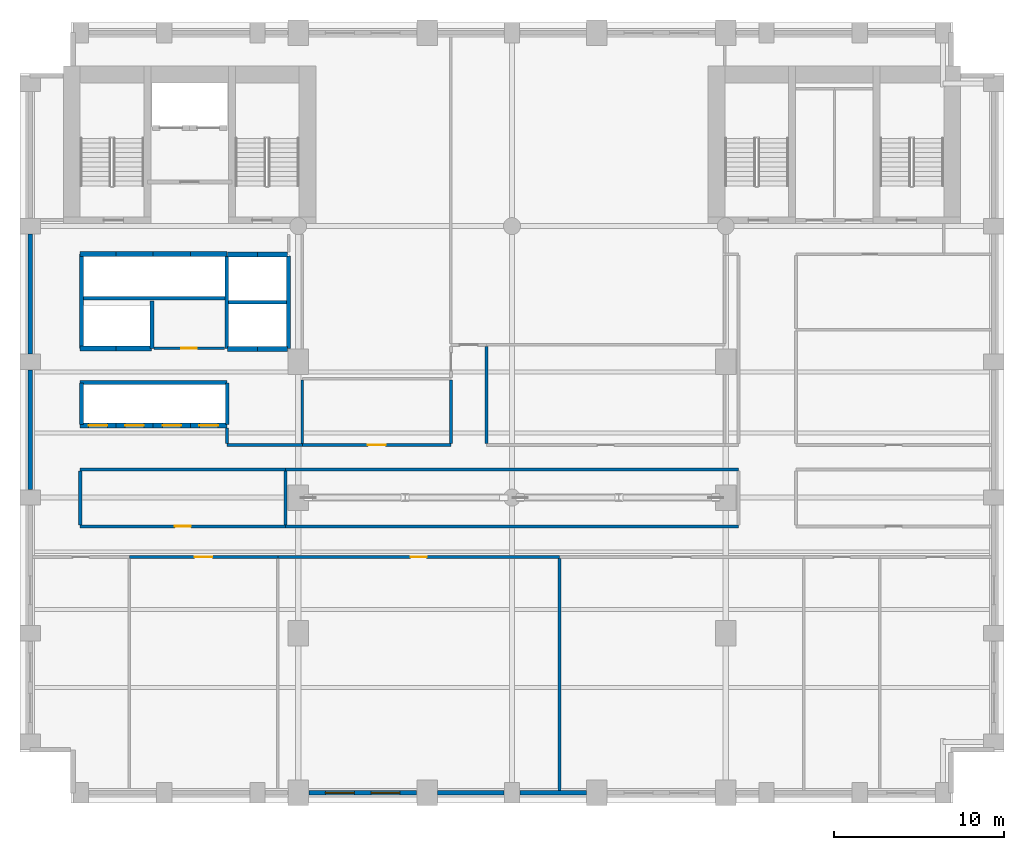
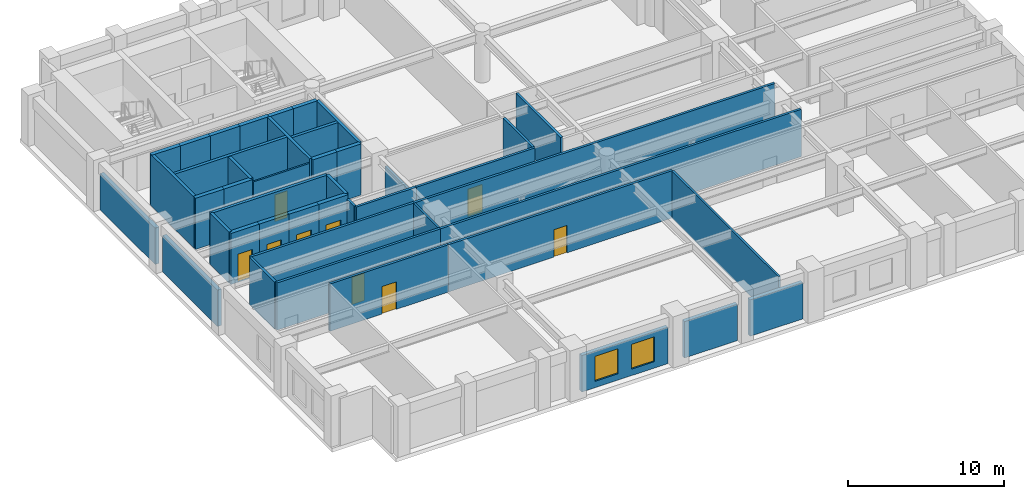
# One storey, part 5 of 10: 44 walls, 9 doors, 2 windows, 11 openings.
"""IFC4 building model written with IfcOpenShell, lengths in metres."""

from ifc_helpers import new_model, si_unit, direction, frame, frame_2d, origin, place, context, subcontext, project, spatial, rectangle, extrude, material, layer, layer_set, type_object, element, fill, save


model = new_model("IFC4")

# Units and contexts
model_context = context("Model", 3, precision=1e-05, world=origin(), true_north=direction((0.0, 1.0)))
body_context = subcontext(model_context, "Body", "Model", "MODEL_VIEW")
ifc_project = project(units=[si_unit("LENGTHUNIT", "METRE"), si_unit("AREAUNIT", "SQUARE_METRE"), si_unit("VOLUMEUNIT", "CUBIC_METRE"), si_unit("PLANEANGLEUNIT", "RADIAN"), si_unit("MASSUNIT", "GRAM", prefix="KILO")], contexts=[model_context])

# Site, building, storey
site_placement = place(None, origin())
site = spatial("IfcSite", under=ifc_project, at=site_placement, CompositionType="ELEMENT")
building_placement = place(site_placement, origin())
building = spatial("IfcBuilding", under=site, at=building_placement, Name="Sulina Concourse Tower", CompositionType="ELEMENT")
storey_placement = place(building_placement, frame((0.0, 0.0, 62.60009765625)))
storey = spatial("IfcBuildingStorey", under=building, at=storey_placement, Name="L15", CompositionType="ELEMENT", Elevation=62.60009765625)

# Walls
ifc_material_1 = material(Name="Concrete C50/60", Category="concrete")
ifc_layer_1 = layer(ifc_material_1, 0.219970703125)
ifc_layer_set_1 = layer_set([ifc_layer_1], Name="Concrete C50/60")
wall_type_1 = type_object("IfcWallType", Name="Core Lift Hoistway Divider Wall 220mm", PredefinedType="SOLIDWALL", material=ifc_layer_set_1)
wall_1_placement = place(storey_placement, frame((3.550048828125, 29.75, 0.0), z_axis=(0.0, 0.0, 1.0), x_axis=(1.0, 0.0, 0.0)))
element("IfcWall", 1, at=wall_1_placement, inside=storey, type_object=wall_type_1, Name="L15 shaft divider wall HW-LP3-S", PredefinedType="SOLIDWALL", context=body_context, shape_type="SweptSolid", body=[
    extrude(rectangle(XDim=8.64990234375, YDim=0.219970703125, at=frame_2d((4.324951171875, 0.0))), origin(), (0.0, 0.0, 1.0), 4.0),
])
wall_2_placement = place(storey_placement, frame((3.6298828125, 26.800048828125, 0.0), z_axis=(0.0, 0.0, 1.0), x_axis=(0.0, 1.0, 0.0)))
element("IfcWall", 2, at=wall_2_placement, inside=storey, type_object=wall_type_1, Name="L15 shaft divider wall HW-LP3-W", PredefinedType="SOLIDWALL", context=body_context, shape_type="SweptSolid", body=[
    extrude(rectangle(XDim=5.550048828125, YDim=0.219970703125, at=frame_2d((2.77490234375, 0.0))), origin(), (0.0, 0.0, 1.0), 4.0),
])
wall_3_placement = place(storey_placement, frame((7.780029296875, 26.800048828125, 0.0), z_axis=(0.0, 0.0, 1.0), x_axis=(0.0, 1.0, 0.0)))
element("IfcWall", 3, at=wall_3_placement, inside=storey, type_object=wall_type_1, Name="L15 shaft divider wall HW-EXP-E", PredefinedType="SOLIDWALL", context=body_context, shape_type="SweptSolid", body=[
    extrude(rectangle(XDim=2.800048828125, YDim=0.219970703125, at=frame_2d((1.39990234375, 0.0))), origin(), (0.0, 0.0, 1.0), 4.0),
])
for number, where, z_axis, x_axis, name in (
    (4, (12.179931640625, 26.800048828125, 0.0), (0.0, 0.0, 1.0), (0.0, 1.0, 0.0), "L15 shaft divider wall HW-LP2-W"),
    (5, (15.820068359375, 26.800048828125, 0.0), (0.0, 0.0, 1.0), (0.0, 1.0, 0.0), "L15 shaft divider wall HW-LP2-E"),
):
    element("IfcWall", number, at=place(storey_placement, frame(where, z_axis=z_axis, x_axis=x_axis)), inside=storey, type_object=wall_type_1, Name=name, PredefinedType="SOLIDWALL", context=body_context, shape_type="SweptSolid", body=[
        extrude(rectangle(XDim=5.449951171875, YDim=0.219970703125, at=frame_2d((2.72509765625, 0.0))), origin(), (0.0, 0.0, 1.0), 4.0),
    ])
wall_4_placement = place(storey_placement, frame((12.300048828125, 29.52001953125, 0.0), z_axis=(0.0, 0.0, 1.0), x_axis=(1.0, 0.0, 0.0)))
element("IfcWall", 6, at=wall_4_placement, inside=storey, type_object=wall_type_1, Name="L15 shaft divider wall HW-LP2-M", PredefinedType="SOLIDWALL", context=body_context, shape_type="SweptSolid", body=[
    extrude(rectangle(XDim=3.39990234375, YDim=0.219970703125, at=frame_2d((1.699951171875, 0.0))), origin(), (0.0, 0.0, 1.0), 4.0),
])
wall_5_placement = place(storey_placement, frame((3.550048828125, 24.780029296875, 0.0), z_axis=(0.0, 0.0, 1.0), x_axis=(1.0, 0.0, 0.0)))
element("IfcWall", 7, at=wall_5_placement, inside=storey, type_object=wall_type_1, Name="L15 shaft divider wall HW-LP1-N", PredefinedType="SOLIDWALL", context=body_context, shape_type="SweptSolid", body=[
    extrude(rectangle(XDim=8.64990234375, YDim=0.219970703125, at=frame_2d((4.324951171875, 0.0))), origin(), (0.0, 0.0, 1.0), 4.0),
])
for number, where, z_axis, x_axis, name in (
    (8, (3.6298828125, 22.300048828125, 0.0), (0.0, 0.0, 1.0), (0.0, 1.0, 0.0), "L15 shaft divider wall HW-LP1-W"),
    (9, (12.219970703125, 22.300048828125, 0.0), (0.0, 0.0, 1.0), (0.0, 1.0, 0.0), "L15 shaft divider wall HW-LP1-E"),
):
    element("IfcWall", number, at=place(storey_placement, frame(where, z_axis=z_axis, x_axis=x_axis)), inside=storey, type_object=wall_type_1, Name=name, PredefinedType="SOLIDWALL", context=body_context, shape_type="SweptSolid", body=[
        extrude(rectangle(XDim=2.449951171875, YDim=0.219970703125, at=frame_2d((1.22509765625, 0.0))), origin(), (0.0, 0.0, 1.0), 4.0),
    ])

# Wall, opening, door
ifc_material_2 = material(Name="Concrete C50/60", Category="concrete")
ifc_layer_2 = layer(ifc_material_2, 0.300048828125)
ifc_layer_set_2 = layer_set([ifc_layer_2], Name="Concrete C50/60")
wall_type_2 = type_object("IfcWallType", Name="Core Lift Hoistway Wall 300mm", PredefinedType="SOLIDWALL", material=ifc_layer_set_2)
wall_6_placement = place(storey_placement, frame((5.64990234375, 22.25, 0.0), z_axis=(0.0, 0.0, 1.0), x_axis=(-1.0, 0.0, 0.0)))
wall_6 = element("IfcWall", 10, at=wall_6_placement, inside=storey, type_object=wall_type_2, Name="L15 hoistway enclosure wall LP-01", PredefinedType="SOLIDWALL", context=body_context, shape_type="SweptSolid", body=[
    extrude(rectangle(XDim=2.099853515625, YDim=0.300048828125, at=frame_2d((1.0498046875, 0.0))), origin(), (0.0, 0.0, 1.0), 4.0),
])
opening_1_placement = place(wall_6_placement, frame((0.5, 0.0, 0.0)))
opening_1 = element("IfcOpeningElement", 11, at=opening_1_placement, cuts=wall_6, Name="Opening LD-01", PredefinedType="OPENING", context=body_context, shape_type="SweptSolid", body=[
    extrude(rectangle(XDim=1.10009765625, YDim=2.199951171875, at=frame_2d((0.550048828125, 1.10009765625))), frame((0.0, 0.159912109375, 0.0), z_axis=(0.0, -1.0, 0.0), x_axis=(1.0, 0.0, 0.0)), (0.0, 0.0, 1.0), 0.320068359375),
])
ifc_material_3 = material(Name="Stainless steel lift landing door", Category="steel")
ifc_layer_3 = layer(ifc_material_3, 0.050048828125)
ifc_layer_set_3 = layer_set([ifc_layer_3], Name="Stainless steel lift landing door")
door_type_1 = type_object("IfcDoorType", Name="Passenger Lift Sliding Landing Door 1100x2200", OperationType="SLIDING_TO_LEFT", PredefinedType="DOOR", material=ifc_layer_set_3)
door_1_placement = place(opening_1_placement, origin())
door_1 = element("IfcDoor", 12, at=door_1_placement, inside=storey, type_object=door_type_1, Name="L15 lift landing sliding door LP-01", OperationType="SLIDING_TO_LEFT", OverallHeight=2.199951171875, OverallWidth=1.10009765625, PredefinedType="DOOR", context=body_context, shape_type="SweptSolid", body=[
    extrude(rectangle(XDim=1.10009765625, YDim=2.199951171875, at=frame_2d((0.550048828125, 1.10009765625))), frame((0.0, 0.02490234375, 0.0), z_axis=(0.0, -1.0, 0.0), x_axis=(1.0, 0.0, 0.0)), (0.0, 0.0, 1.0), 0.050048828125),
])
fill(opening_1, door_1)

wall_7_placement = place(storey_placement, frame((7.85009765625, 22.25, 0.0), z_axis=(0.0, 0.0, 1.0), x_axis=(-1.0, 0.0, 0.0)))
wall_7 = element("IfcWall", 13, at=wall_7_placement, inside=storey, type_object=wall_type_2, Name="L15 hoistway enclosure wall LP-02", PredefinedType="SOLIDWALL", context=body_context, shape_type="SweptSolid", body=[
    extrude(rectangle(XDim=2.2001953125, YDim=0.300048828125, at=frame_2d((1.10009765625, 0.0))), origin(), (0.0, 0.0, 1.0), 4.0),
])
opening_2_placement = place(wall_7_placement, frame((0.550048828125, 0.0, 0.0)))
opening_2 = element("IfcOpeningElement", 14, at=opening_2_placement, cuts=wall_7, Name="Opening LD-01", PredefinedType="OPENING", context=body_context, shape_type="SweptSolid", body=[
    extrude(rectangle(XDim=1.10009765625, YDim=2.199951171875, at=frame_2d((0.550048828125, 1.10009765625))), frame((0.0, 0.159912109375, 0.0), z_axis=(0.0, -1.0, 0.0), x_axis=(1.0, 0.0, 0.0)), (0.0, 0.0, 1.0), 0.320068359375),
])
door_2_placement = place(opening_2_placement, origin())
door_2 = element("IfcDoor", 15, at=door_2_placement, inside=storey, type_object=door_type_1, Name="L15 lift landing sliding door LP-02", OperationType="SLIDING_TO_RIGHT", OverallHeight=2.199951171875, OverallWidth=1.10009765625, PredefinedType="DOOR", context=body_context, shape_type="SweptSolid", body=[
    extrude(rectangle(XDim=1.10009765625, YDim=2.199951171875, at=frame_2d((0.550048828125, 1.10009765625))), frame((0.0, 0.02490234375, 0.0), z_axis=(0.0, -1.0, 0.0), x_axis=(1.0, 0.0, 0.0)), (0.0, 0.0, 1.0), 0.050048828125),
])
fill(opening_2, door_2)

wall_8_placement = place(storey_placement, frame((10.050048828125, 22.25, 0.0), z_axis=(0.0, 0.0, 1.0), x_axis=(-1.0, 0.0, 0.0)))
wall_8 = element("IfcWall", 16, at=wall_8_placement, inside=storey, type_object=wall_type_2, Name="L15 hoistway enclosure wall LP-03", PredefinedType="SOLIDWALL", context=body_context, shape_type="SweptSolid", body=[
    extrude(rectangle(XDim=2.199951171875, YDim=0.300048828125, at=frame_2d((1.10009765625, 0.0))), origin(), (0.0, 0.0, 1.0), 4.0),
])
opening_3_placement = place(wall_8_placement, frame((0.550048828125, 0.0, 0.0)))
opening_3 = element("IfcOpeningElement", 17, at=opening_3_placement, cuts=wall_8, Name="Opening LD-01", PredefinedType="OPENING", context=body_context, shape_type="SweptSolid", body=[
    extrude(rectangle(XDim=1.10009765625, YDim=2.199951171875, at=frame_2d((0.550048828125, 1.10009765625))), frame((0.0, 0.159912109375, 0.0), z_axis=(0.0, -1.0, 0.0), x_axis=(1.0, 0.0, 0.0)), (0.0, 0.0, 1.0), 0.320068359375),
])
door_3_placement = place(opening_3_placement, origin())
door_3 = element("IfcDoor", 18, at=door_3_placement, inside=storey, type_object=door_type_1, Name="L15 lift landing sliding door LP-03", OperationType="SLIDING_TO_LEFT", OverallHeight=2.199951171875, OverallWidth=1.10009765625, PredefinedType="DOOR", context=body_context, shape_type="SweptSolid", body=[
    extrude(rectangle(XDim=1.10009765625, YDim=2.199951171875, at=frame_2d((0.550048828125, 1.10009765625))), frame((0.0, 0.02490234375, 0.0), z_axis=(0.0, -1.0, 0.0), x_axis=(1.0, 0.0, 0.0)), (0.0, 0.0, 1.0), 0.050048828125),
])
fill(opening_3, door_3)

wall_9_placement = place(storey_placement, frame((12.199951171875, 22.25, 0.0), z_axis=(0.0, 0.0, 1.0), x_axis=(-1.0, 0.0, 0.0)))
wall_9 = element("IfcWall", 19, at=wall_9_placement, inside=storey, type_object=wall_type_2, Name="L15 hoistway enclosure wall LP-04", PredefinedType="SOLIDWALL", context=body_context, shape_type="SweptSolid", body=[
    extrude(rectangle(XDim=2.14990234375, YDim=0.300048828125, at=frame_2d((1.074951171875, 0.0))), origin(), (0.0, 0.0, 1.0), 4.0),
])
opening_4_placement = place(wall_9_placement, frame((0.52490234375, 0.0, 0.0)))
opening_4 = element("IfcOpeningElement", 20, at=opening_4_placement, cuts=wall_9, Name="Opening LD-01", PredefinedType="OPENING", context=body_context, shape_type="SweptSolid", body=[
    extrude(rectangle(XDim=1.10009765625, YDim=2.199951171875, at=frame_2d((0.550048828125, 1.10009765625))), frame((0.0, 0.159912109375, 0.0), z_axis=(0.0, -1.0, 0.0), x_axis=(1.0, 0.0, 0.0)), (0.0, 0.0, 1.0), 0.320068359375),
])
door_4_placement = place(opening_4_placement, origin())
door_4 = element("IfcDoor", 21, at=door_4_placement, inside=storey, type_object=door_type_1, Name="L15 lift landing sliding door LP-04", OperationType="SLIDING_TO_RIGHT", OverallHeight=2.199951171875, OverallWidth=1.10009765625, PredefinedType="DOOR", context=body_context, shape_type="SweptSolid", body=[
    extrude(rectangle(XDim=1.10009765625, YDim=2.199951171875, at=frame_2d((0.550048828125, 1.10009765625))), frame((0.0, 0.02490234375, 0.0), z_axis=(0.0, -1.0, 0.0), x_axis=(1.0, 0.0, 0.0)), (0.0, 0.0, 1.0), 0.050048828125),
])
fill(opening_4, door_4)

# Walls
for number, where, z_axis, x_axis, name in (
    (22, (14.0, 26.75, 0.0), (0.0, 0.0, 1.0), (-1.0, 0.0, 0.0), "L15 hoistway enclosure wall LP-05"),
    (23, (15.780029296875, 26.75, 0.0), (0.0, 0.0, 1.0), (-1.0, 0.0, 0.0), "L15 hoistway enclosure wall LP-06"),
    (24, (12.219970703125, 32.320068359375, 0.0), (0.0, 0.0, 1.0), (1.0, 0.0, 0.0), "L15 hoistway enclosure wall LP-07"),
    (25, (14.0, 32.320068359375, 0.0), (0.0, 0.0, 1.0), (1.0, 0.0, 0.0), "L15 hoistway enclosure wall LP-08"),
):
    element("IfcWall", number, at=place(storey_placement, frame(where, z_axis=z_axis, x_axis=x_axis)), inside=storey, type_object=wall_type_2, Name=name, PredefinedType="SOLIDWALL", context=body_context, shape_type="SweptSolid", body=[
        extrude(rectangle(XDim=1.780029296875, YDim=0.300048828125, at=frame_2d((0.89013671875, 0.0))), origin(), (0.0, 0.0, 1.0), 4.0),
    ])
wall_10_placement = place(storey_placement, frame((3.550048828125, 32.35009765625, 0.0), z_axis=(0.0, 0.0, 1.0), x_axis=(1.0, 0.0, 0.0)))
element("IfcWall", 26, at=wall_10_placement, inside=storey, type_object=wall_type_2, Name="L15 hoistway enclosure wall LP-09", PredefinedType="SOLIDWALL", context=body_context, shape_type="SweptSolid", body=[
    extrude(rectangle(XDim=2.099853515625, YDim=0.300048828125, at=frame_2d((1.0498046875, 0.0))), origin(), (0.0, 0.0, 1.0), 4.0),
])
wall_11_placement = place(storey_placement, frame((5.64990234375, 32.35009765625, 0.0), z_axis=(0.0, 0.0, 1.0), x_axis=(1.0, 0.0, 0.0)))
element("IfcWall", 27, at=wall_11_placement, inside=storey, type_object=wall_type_2, Name="L15 hoistway enclosure wall LP-10", PredefinedType="SOLIDWALL", context=body_context, shape_type="SweptSolid", body=[
    extrude(rectangle(XDim=2.2001953125, YDim=0.300048828125, at=frame_2d((1.10009765625, 0.0))), origin(), (0.0, 0.0, 1.0), 4.0),
])
wall_12_placement = place(storey_placement, frame((7.85009765625, 32.35009765625, 0.0), z_axis=(0.0, 0.0, 1.0), x_axis=(1.0, 0.0, 0.0)))
element("IfcWall", 28, at=wall_12_placement, inside=storey, type_object=wall_type_2, Name="L15 hoistway enclosure wall LP-11", PredefinedType="SOLIDWALL", context=body_context, shape_type="SweptSolid", body=[
    extrude(rectangle(XDim=2.199951171875, YDim=0.300048828125, at=frame_2d((1.10009765625, 0.0))), origin(), (0.0, 0.0, 1.0), 4.0),
])
wall_13_placement = place(storey_placement, frame((10.050048828125, 32.35009765625, 0.0), z_axis=(0.0, 0.0, 1.0), x_axis=(1.0, 0.0, 0.0)))
element("IfcWall", 29, at=wall_13_placement, inside=storey, type_object=wall_type_2, Name="L15 hoistway enclosure wall LP-12", PredefinedType="SOLIDWALL", context=body_context, shape_type="SweptSolid", body=[
    extrude(rectangle(XDim=2.14990234375, YDim=0.300048828125, at=frame_2d((1.074951171875, 0.0))), origin(), (0.0, 0.0, 1.0), 4.0),
])
wall_14_placement = place(storey_placement, frame((5.64990234375, 26.780029296875, 0.0), z_axis=(0.0, 0.0, 1.0), x_axis=(-1.0, 0.0, 0.0)))
element("IfcWall", 30, at=wall_14_placement, inside=storey, type_object=wall_type_2, Name="L15 hoistway enclosure wall EXP-1", PredefinedType="SOLIDWALL", context=body_context, shape_type="SweptSolid", body=[
    extrude(rectangle(XDim=2.099853515625, YDim=0.300048828125, at=frame_2d((1.0498046875, 0.0))), origin(), (0.0, 0.0, 1.0), 4.0),
])
wall_15_placement = place(storey_placement, frame((7.75, 26.780029296875, 0.0), z_axis=(0.0, 0.0, 1.0), x_axis=(-1.0, 0.0, 0.0)))
element("IfcWall", 31, at=wall_15_placement, inside=storey, type_object=wall_type_2, Name="L15 hoistway enclosure wall EXP-2", PredefinedType="SOLIDWALL", context=body_context, shape_type="SweptSolid", body=[
    extrude(rectangle(XDim=2.10009765625, YDim=0.300048828125, at=frame_2d((1.050048828125, 0.0))), origin(), (0.0, 0.0, 1.0), 4.0),
])
ifc_material_4 = material(Name="Gypsum board on steel stud", Category="steel")
ifc_layer_4 = layer(ifc_material_4, 0.14990234375)
ifc_layer_set_4 = layer_set([ifc_layer_4], Name="Gypsum board on steel stud")
wall_type_3 = type_object("IfcWallType", Name="Inter-Tenancy Acoustic Partition 150mm", PredefinedType="PARTITIONING", material=ifc_layer_set_4)
wall_16_placement = place(storey_placement, frame((12.199951171875, 21.18994140625, 0.0), z_axis=(0.0, 0.0, 1.0), x_axis=(0.0, 1.0, 0.0)))
element("IfcWall", 32, at=wall_16_placement, inside=storey, type_object=wall_type_3, Name="L15 interior partition 031", PredefinedType="PARTITIONING", context=body_context, shape_type="SweptSolid", body=[
    extrude(rectangle(XDim=0.91015625, YDim=0.14990234375, at=frame_2d((0.455078125, 0.0))), origin(), (0.0, 0.0, 1.0), 3.699951171875),
])
wall_17_placement = place(storey_placement, frame((15.64990234375, 16.389892578125, 0.0), z_axis=(0.0, 0.0, 1.0), x_axis=(0.0, 1.0, 0.0)))
element("IfcWall", 33, at=wall_17_placement, inside=storey, type_object=wall_type_3, Name="L15 interior partition 033", PredefinedType="PARTITIONING", context=body_context, shape_type="SweptSolid", body=[
    extrude(rectangle(XDim=3.170166015625, YDim=0.14990234375, at=frame_2d((1.5849609375, 0.0))), origin(), (0.0, 0.0, 1.0), 3.699951171875),
])
wall_18_placement = place(storey_placement, frame((16.64990234375, 21.18994140625, 0.0), z_axis=(0.0, 0.0, 1.0), x_axis=(0.0, 1.0, 0.0)))
element("IfcWall", 34, at=wall_18_placement, inside=storey, type_object=wall_type_3, Name="L15 interior partition 035", PredefinedType="PARTITIONING", context=body_context, shape_type="SweptSolid", body=[
    extrude(rectangle(XDim=3.735107421875, YDim=0.14990234375, at=frame_2d((1.86767578125, 0.0))), origin(), (0.0, 0.0, 1.0), 2.994873046875),
])
wall_19_placement = place(storey_placement, frame((31.800048828125, 0.739990234375, 0.0), z_axis=(0.0, 0.0, 1.0), x_axis=(0.0, 1.0, 0.0)))
element("IfcWall", 35, at=wall_19_placement, inside=storey, type_object=wall_type_3, Name="L15 interior partition 041", PredefinedType="PARTITIONING", context=body_context, shape_type="SweptSolid", body=[
    extrude(rectangle(XDim=13.669921875, YDim=0.14990234375, at=frame_2d((6.8349609375, 0.0))), origin(), (0.0, 0.0, 1.0), 3.699951171875),
])

# Wall, opening, door
ifc_material_5 = material(Name="Gypsum board on steel stud", Category="steel")
ifc_layer_5 = layer(ifc_material_5, 0.179931640625)
ifc_layer_set_5 = layer_set([ifc_layer_5], Name="Gypsum board on steel stud")
wall_type_4 = type_object("IfcWallType", Name="Protected Corridor & Riser Partition 180mm", PredefinedType="PARTITIONING", material=ifc_layer_set_5)
wall_20_placement = place(storey_placement, frame((6.43994140625, 14.5, 0.0), z_axis=(0.0, 0.0, 1.0), x_axis=(1.0, 0.0, 0.0)))
wall_20 = element("IfcWall", 36, at=wall_20_placement, inside=storey, type_object=wall_type_4, Name="L15 interior partition 002", PredefinedType="PARTITIONING", context=body_context, shape_type="SweptSolid", body=[
    extrude(rectangle(XDim=8.760009765625, YDim=0.179931640625, at=frame_2d((4.3798828125, 0.0))), origin(), (0.0, 0.0, 1.0), 3.699951171875),
])
opening_5_placement = place(wall_20_placement, frame((3.85498046875, 0.0, 0.0)))
opening_5 = element("IfcOpeningElement", 37, at=opening_5_placement, cuts=wall_20, Name="Opening DR-37", PredefinedType="OPENING", context=body_context, shape_type="SweptSolid", body=[
    extrude(rectangle(XDim=1.050048828125, YDim=2.14990234375, at=frame_2d((0.52490234375, 1.074951171875))), frame((0.0, 0.099853515625, 0.0), z_axis=(0.0, -1.0, 0.0), x_axis=(1.0, 0.0, 0.0)), (0.0, 0.0, 1.0), 0.199951171875),
])
ifc_material_6 = material(Name="Oak-veneered fire door leaf")
ifc_layer_6 = layer(ifc_material_6, 0.050048828125)
ifc_layer_set_6 = layer_set([ifc_layer_6], Name="Oak-veneered fire door leaf")
door_type_2 = type_object("IfcDoorType", Name="Tenant Suite Entrance Fire Door 1050x2150", OperationType="NOTDEFINED", PredefinedType="DOOR", material=ifc_layer_set_6)
door_5_placement = place(opening_5_placement, origin())
door_5 = element("IfcDoor", 38, at=door_5_placement, inside=storey, type_object=door_type_2, Name="L15 interior door L15-S01B", OperationType="SINGLE_SWING_RIGHT", OverallHeight=2.14990234375, OverallWidth=1.050048828125, PredefinedType="DOOR", context=body_context, shape_type="SweptSolid", body=[
    extrude(rectangle(XDim=1.050048828125, YDim=2.14990234375, at=frame_2d((0.52490234375, 1.074951171875))), frame((0.0, 0.02490234375, 0.0), z_axis=(0.0, -1.0, 0.0), x_axis=(1.0, 0.0, 0.0)), (0.0, 0.0, 1.0), 0.050048828125),
])
fill(opening_5, door_5)

wall_21_placement = place(storey_placement, frame((15.199951171875, 14.5, 0.0), z_axis=(0.0, 0.0, 1.0), x_axis=(1.0, 0.0, 0.0)))
wall_21 = element("IfcWall", 39, at=wall_21_placement, inside=storey, type_object=wall_type_4, Name="L15 interior partition 003", PredefinedType="PARTITIONING", context=body_context, shape_type="SweptSolid", body=[
    extrude(rectangle(XDim=16.60009765625, YDim=0.179931640625, at=frame_2d((8.300048828125, 0.0))), origin(), (0.0, 0.0, 1.0), 3.699951171875),
])
opening_6_placement = place(wall_21_placement, frame((7.824951171875, 0.0, 0.0)))
opening_6 = element("IfcOpeningElement", 40, at=opening_6_placement, cuts=wall_21, Name="Opening DR-19", PredefinedType="OPENING", context=body_context, shape_type="SweptSolid", body=[
    extrude(rectangle(XDim=0.949951171875, YDim=2.14990234375, at=frame_2d((0.47509765625, 1.074951171875))), frame((0.0, 0.099853515625, 0.0), z_axis=(0.0, -1.0, 0.0), x_axis=(1.0, 0.0, 0.0)), (0.0, 0.0, 1.0), 0.199951171875),
])
ifc_material_7 = material(Name="Oak-veneered acoustic timber leaf", Category="wood")
ifc_layer_7 = layer(ifc_material_7, 0.050048828125)
ifc_layer_set_7 = layer_set([ifc_layer_7], Name="Oak-veneered acoustic timber leaf")
door_type_3 = type_object("IfcDoorType", Name="Cellular Office & Meeting Door 950x2150", OperationType="NOTDEFINED", PredefinedType="DOOR", material=ifc_layer_set_7)
door_6_placement = place(opening_6_placement, origin())
door_6 = element("IfcDoor", 41, at=door_6_placement, inside=storey, type_object=door_type_3, Name="L15 interior door L15-S02", OperationType="SINGLE_SWING_LEFT", OverallHeight=2.14990234375, OverallWidth=0.949951171875, PredefinedType="DOOR", context=body_context, shape_type="SweptSolid", body=[
    extrude(rectangle(XDim=0.949951171875, YDim=2.14990234375, at=frame_2d((0.47509765625, 1.074951171875))), frame((0.0, 0.02490234375, 0.0), z_axis=(0.0, -1.0, 0.0), x_axis=(1.0, 0.0, 0.0)), (0.0, 0.0, 1.0), 0.050048828125),
])
fill(opening_6, door_6)

wall_22_placement = place(storey_placement, frame((3.550048828125, 16.300048828125, 0.0), z_axis=(0.0, 0.0, 1.0), x_axis=(1.0, 0.0, 0.0)))
wall_22 = element("IfcWall", 42, at=wall_22_placement, inside=storey, type_object=wall_type_4, Name="L15 interior partition 007", PredefinedType="PARTITIONING", context=body_context, shape_type="SweptSolid", body=[
    extrude(rectangle(XDim=12.099853515625, YDim=0.179931640625, at=frame_2d((6.0498046875, 0.0))), origin(), (0.0, 0.0, 1.0), 3.699951171875),
])
opening_7_placement = place(wall_22_placement, frame((5.574951171875, 0.0, 0.0)))
opening_7 = element("IfcOpeningElement", 43, at=opening_7_placement, cuts=wall_22, Name="Opening DR-19", PredefinedType="OPENING", context=body_context, shape_type="SweptSolid", body=[
    extrude(rectangle(XDim=0.949951171875, YDim=2.14990234375, at=frame_2d((0.47509765625, 1.074951171875))), frame((0.0, 0.099853515625, 0.0), z_axis=(0.0, -1.0, 0.0), x_axis=(1.0, 0.0, 0.0)), (0.0, 0.0, 1.0), 0.199951171875),
])
door_7_placement = place(opening_7_placement, origin())
door_7 = element("IfcDoor", 44, at=door_7_placement, inside=storey, type_object=door_type_3, Name="L15 interior door L15-OFF-LBTW", OperationType="SINGLE_SWING_LEFT", OverallHeight=2.14990234375, OverallWidth=0.949951171875, PredefinedType="DOOR", context=body_context, shape_type="SweptSolid", body=[
    extrude(rectangle(XDim=0.949951171875, YDim=2.14990234375, at=frame_2d((0.47509765625, 1.074951171875))), frame((0.0, 0.02490234375, 0.0), z_axis=(0.0, -1.0, 0.0), x_axis=(1.0, 0.0, 0.0)), (0.0, 0.0, 1.0), 0.050048828125),
])
fill(opening_7, door_7)

# Walls
wall_23_placement = place(storey_placement, frame((15.64990234375, 16.300048828125, 0.0), z_axis=(0.0, 0.0, 1.0), x_axis=(1.0, 0.0, 0.0)))
element("IfcWall", 45, at=wall_23_placement, inside=storey, type_object=wall_type_4, Name="L15 interior partition 008", PredefinedType="PARTITIONING", context=body_context, shape_type="SweptSolid", body=[
    extrude(rectangle(XDim=26.7001953125, YDim=0.179931640625, at=frame_2d((13.35009765625, 0.0))), origin(), (0.0, 0.0, 1.0), 3.699951171875),
])
wall_24_placement = place(storey_placement, frame((3.550048828125, 19.64990234375, 0.0), z_axis=(0.0, 0.0, 1.0), x_axis=(1.0, 0.0, 0.0)))
element("IfcWall", 46, at=wall_24_placement, inside=storey, type_object=wall_type_4, Name="L15 interior partition 010", PredefinedType="PARTITIONING", context=body_context, shape_type="SweptSolid", body=[
    extrude(rectangle(XDim=12.099853515625, YDim=0.179931640625, at=frame_2d((6.0498046875, 0.0))), origin(), (0.0, 0.0, 1.0), 3.699951171875),
])
wall_25_placement = place(storey_placement, frame((15.64990234375, 19.64990234375, 0.0), z_axis=(0.0, 0.0, 1.0), x_axis=(1.0, 0.0, 0.0)))
element("IfcWall", 47, at=wall_25_placement, inside=storey, type_object=wall_type_4, Name="L15 interior partition 011", PredefinedType="PARTITIONING", context=body_context, shape_type="SweptSolid", body=[
    extrude(rectangle(XDim=26.7001953125, YDim=0.179931640625, at=frame_2d((13.35009765625, 0.0))), origin(), (0.0, 0.0, 1.0), 3.699951171875),
])
wall_26_placement = place(storey_placement, frame((12.199951171875, 21.10009765625, 0.0), z_axis=(0.0, 0.0, 1.0), x_axis=(1.0, 0.0, 0.0)))
element("IfcWall", 48, at=wall_26_placement, inside=storey, type_object=wall_type_4, Name="L15 interior partition 013", PredefinedType="PARTITIONING", context=body_context, shape_type="SweptSolid", body=[
    extrude(rectangle(XDim=4.449951171875, YDim=0.179931640625, at=frame_2d((2.22509765625, 0.0))), origin(), (0.0, 0.0, 1.0), 3.699951171875),
])

# Wall, opening, door
wall_27_placement = place(storey_placement, frame((16.64990234375, 21.10009765625, 0.0), z_axis=(0.0, 0.0, 1.0), x_axis=(1.0, 0.0, 0.0)))
wall_27 = element("IfcWall", 49, at=wall_27_placement, inside=storey, type_object=wall_type_4, Name="L15 interior partition 014", PredefinedType="PARTITIONING", context=body_context, shape_type="SweptSolid", body=[
    extrude(rectangle(XDim=8.75, YDim=0.179931640625, at=frame_2d((4.375, 0.0))), origin(), (0.0, 0.0, 1.0), 3.699951171875),
])
opening_8_placement = place(wall_27_placement, frame((3.85009765625, 0.0, 0.0)))
opening_8 = element("IfcOpeningElement", 50, at=opening_8_placement, cuts=wall_27, Name="Opening DR-37", PredefinedType="OPENING", context=body_context, shape_type="SweptSolid", body=[
    extrude(rectangle(XDim=1.050048828125, YDim=2.14990234375, at=frame_2d((0.52490234375, 1.074951171875))), frame((0.0, 0.099853515625, 0.0), z_axis=(0.0, -1.0, 0.0), x_axis=(1.0, 0.0, 0.0)), (0.0, 0.0, 1.0), 0.199951171875),
])
door_8_placement = place(opening_8_placement, origin())
door_8 = element("IfcDoor", 51, at=door_8_placement, inside=storey, type_object=door_type_2, Name="L15 interior door L15-NC1", OperationType="SINGLE_SWING_LEFT", OverallHeight=2.14990234375, OverallWidth=1.050048828125, PredefinedType="DOOR", context=body_context, shape_type="SweptSolid", body=[
    extrude(rectangle(XDim=1.050048828125, YDim=2.14990234375, at=frame_2d((0.52490234375, 1.074951171875))), frame((0.0, 0.02490234375, 0.0), z_axis=(0.0, -1.0, 0.0), x_axis=(1.0, 0.0, 0.0)), (0.0, 0.0, 1.0), 0.050048828125),
])
fill(opening_8, door_8)

# Walls
wall_28_placement = place(storey_placement, frame((3.550048828125, 16.389892578125, 0.0), z_axis=(0.0, 0.0, 1.0), x_axis=(0.0, 1.0, 0.0)))
element("IfcWall", 52, at=wall_28_placement, inside=storey, type_object=wall_type_4, Name="L15 interior partition 029", PredefinedType="PARTITIONING", context=body_context, shape_type="SweptSolid", body=[
    extrude(rectangle(XDim=3.170166015625, YDim=0.179931640625, at=frame_2d((1.5849609375, 0.0))), origin(), (0.0, 0.0, 1.0), 3.699951171875),
])
wall_29_placement = place(storey_placement, frame((25.39990234375, 21.18994140625, 0.0), z_axis=(0.0, 0.0, 1.0), x_axis=(0.0, 1.0, 0.0)))
element("IfcWall", 53, at=wall_29_placement, inside=storey, type_object=wall_type_4, Name="L15 interior partition 037", PredefinedType="PARTITIONING", context=body_context, shape_type="SweptSolid", body=[
    extrude(rectangle(XDim=3.735107421875, YDim=0.179931640625, at=frame_2d((1.86767578125, 0.0))), origin(), (0.0, 0.0, 1.0), 3.699951171875),
])
wall_30_placement = place(storey_placement, frame((27.5, 21.18994140625, 0.0), z_axis=(0.0, 0.0, 1.0), x_axis=(0.0, 1.0, 0.0)))
element("IfcWall", 54, at=wall_30_placement, inside=storey, type_object=wall_type_4, Name="L15 interior partition 040", PredefinedType="PARTITIONING", context=body_context, shape_type="SweptSolid", body=[
    extrude(rectangle(XDim=5.719970703125, YDim=0.179931640625, at=frame_2d((2.85986328125, 0.0))), origin(), (0.0, 0.0, 1.0), 3.699951171875),
])

# Wall, openings, windows
ifc_material_8 = material(Name="Precast concrete C50/60", Category="concrete")
ifc_layer_8 = layer(ifc_material_8, 0.280029296875)
ifc_layer_set_8 = layer_set([ifc_layer_8], Name="Precast concrete C50/60")
wall_type_5 = type_object("IfcWallType", Name="Typical Precast Masonry-Frame Facade Wall 280mm", PredefinedType="SOLIDWALL", material=ifc_layer_set_8)
wall_31_placement = place(storey_placement, frame((23.3798828125, 0.60009765625, 0.0), z_axis=(0.0, 0.0, 1.0), x_axis=(-1.0, 0.0, 0.0)))
wall_31 = element("IfcWall", 55, at=wall_31_placement, inside=storey, type_object=wall_type_5, Name="L15 exterior precast wall S4", PredefinedType="SOLIDWALL", context=body_context, shape_type="SweptSolid", body=[
    extrude(rectangle(XDim=6.35986328125, YDim=0.280029296875, at=frame_2d((3.179931640625, 0.0))), origin(), (0.0, 0.0, 1.0), 2.849853515625),
])
opening_9_placement = place(wall_31_placement, frame((0.98681640625, 0.0, 0.5)))
opening_9 = element("IfcOpeningElement", 56, at=opening_9_placement, cuts=wall_31, Name="Opening WN-66", PredefinedType="OPENING", context=body_context, shape_type="SweptSolid", body=[
    extrude(rectangle(XDim=1.699951171875, YDim=1.949951171875, at=frame_2d((0.85009765625, 0.97509765625))), frame((0.0, 0.14990234375, 0.0), z_axis=(0.0, -1.0, 0.0), x_axis=(1.0, 0.0, 0.0)), (0.0, 0.0, 1.0), 0.300048828125),
])
opening_10_placement = place(wall_31_placement, frame((3.67333984375, 0.0, 0.5)))
opening_10 = element("IfcOpeningElement", 57, at=opening_10_placement, cuts=wall_31, Name="Opening WN-66", PredefinedType="OPENING", context=body_context, shape_type="SweptSolid", body=[
    extrude(rectangle(XDim=1.699951171875, YDim=1.949951171875, at=frame_2d((0.85009765625, 0.97509765625))), frame((0.0, 0.14990234375, 0.0), z_axis=(0.0, -1.0, 0.0), x_axis=(1.0, 0.0, 0.0)), (0.0, 0.0, 1.0), 0.300048828125),
])
ifc_material_9 = material(Name="Low-E solar double glazing in bronze aluminium", Category="aluminium")
window_type = type_object("IfcWindowType", Name="Recessed Spandrel Window 1700x1950", PartitioningType="SINGLE_PANEL", PredefinedType="WINDOW", material=ifc_material_9)
window_1_placement = place(opening_9_placement, origin())
window_1 = element("IfcWindow", 58, at=window_1_placement, inside=storey, type_object=window_type, Name="L15 punched window S4-1", OverallHeight=1.949951171875, OverallWidth=1.699951171875, PartitioningType="SINGLE_PANEL", PredefinedType="WINDOW", context=body_context, shape_type="SweptSolid", body=[
    extrude(rectangle(XDim=1.699951171875, YDim=1.949951171875, at=frame_2d((0.85009765625, 0.97509765625))), frame((0.0, 0.030029296875, 0.0), z_axis=(0.0, -1.0, 0.0), x_axis=(1.0, 0.0, 0.0)), (0.0, 0.0, 1.0), 0.06005859375),
])
fill(opening_9, window_1)
window_2_placement = place(opening_10_placement, origin())
window_2 = element("IfcWindow", 59, at=window_2_placement, inside=storey, type_object=window_type, Name="L15 punched window S4-2", OverallHeight=1.949951171875, OverallWidth=1.699951171875, PartitioningType="SINGLE_PANEL", PredefinedType="WINDOW", context=body_context, shape_type="SweptSolid", body=[
    extrude(rectangle(XDim=1.699951171875, YDim=1.949951171875, at=frame_2d((0.85009765625, 0.97509765625))), frame((0.0, 0.030029296875, 0.0), z_axis=(0.0, -1.0, 0.0), x_axis=(1.0, 0.0, 0.0)), (0.0, 0.0, 1.0), 0.06005859375),
])
fill(opening_10, window_2)

# Walls
for number, where, z_axis, x_axis, name in (
    (60, (28.530029296875, 0.60009765625, 0.0), (0.0, 0.0, 1.0), (-1.0, 0.0, 0.0), "L15 exterior precast wall S5"),
    (61, (33.3798828125, 0.60009765625, 0.0), (0.0, 0.0, 1.0), (-1.0, 0.0, 0.0), "L15 exterior precast wall S6"),
):
    element("IfcWall", number, at=place(storey_placement, frame(where, z_axis=z_axis, x_axis=x_axis)), inside=storey, type_object=wall_type_5, Name=name, PredefinedType="SOLIDWALL", context=body_context, shape_type="SweptSolid", body=[
        extrude(rectangle(XDim=3.909912109375, YDim=0.280029296875, at=frame_2d((1.955078125, 0.0))), origin(), (0.0, 0.0, 1.0), 2.849853515625),
    ])
for number, where, z_axis, x_axis, name in (
    (62, (0.60009765625, 18.469970703125, 0.0), (0.0, 0.0, 1.0), (0.0, 1.0, 0.0), "L15 exterior precast wall W3"),
    (63, (0.60009765625, 26.469970703125, 0.0), (0.0, 0.0, 1.0), (0.0, 1.0, 0.0), "L15 exterior precast wall W4"),
):
    element("IfcWall", number, at=place(storey_placement, frame(where, z_axis=z_axis, x_axis=x_axis)), inside=storey, type_object=wall_type_5, Name=name, PredefinedType="SOLIDWALL", context=body_context, shape_type="SweptSolid", body=[
        extrude(rectangle(XDim=7.06005859375, YDim=0.280029296875, at=frame_2d((3.530029296875, 0.0))), origin(), (0.0, 0.0, 1.0), 2.849853515625),
    ])

# Wall, opening, door
ifc_material_10 = material(Name="Gypsum board on steel stud", Category="steel")
ifc_layer_9 = layer(ifc_material_10, 0.125)
ifc_layer_set_9 = layer_set([ifc_layer_9], Name="Gypsum board on steel stud")
wall_type_6 = type_object("IfcWallType", Name="Wet-Area Moisture-Resistant Partition 125mm", PredefinedType="PARTITIONING", material=ifc_layer_set_9)
wall_32_placement = place(storey_placement, frame((7.889892578125, 26.800048828125, 0.0), z_axis=(0.0, 0.0, 1.0), x_axis=(1.0, 0.0, 0.0)))
wall_32 = element("IfcWall", 64, at=wall_32_placement, inside=storey, type_object=wall_type_6, Name="L15 interior partition 019", PredefinedType="PARTITIONING", context=body_context, shape_type="SweptSolid", body=[
    extrude(rectangle(XDim=4.16015625, YDim=0.125, at=frame_2d((2.080078125, 0.0))), origin(), (0.0, 0.0, 1.0), 3.699951171875),
])
opening_11_placement = place(wall_32_placement, frame((1.6201171875, 0.0, 0.0)))
opening_11 = element("IfcOpeningElement", 65, at=opening_11_placement, cuts=wall_32, Name="Opening DR-61", PredefinedType="OPENING", context=body_context, shape_type="SweptSolid", body=[
    extrude(rectangle(XDim=0.919921875, YDim=2.10009765625, at=frame_2d((0.4599609375, 1.050048828125))), frame((0.0, 0.072509765625, 0.0), z_axis=(0.0, -1.0, 0.0), x_axis=(1.0, 0.0, 0.0)), (0.0, 0.0, 1.0), 0.14501953125),
])
ifc_material_11 = material(Name="Oak-veneered fire door leaf")
ifc_layer_10 = layer(ifc_material_11, 0.050048828125)
ifc_layer_set_10 = layer_set([ifc_layer_10], Name="Oak-veneered fire door leaf")
door_type_4 = type_object("IfcDoorType", Name="Accessible WC Door 920x2100", OperationType="NOTDEFINED", PredefinedType="DOOR", material=ifc_layer_set_10)
door_9_placement = place(opening_11_placement, origin())
door_9 = element("IfcDoor", 66, at=door_9_placement, inside=storey, type_object=door_type_4, Name="L15 interior door L15-WC-ACC", OperationType="SINGLE_SWING_RIGHT", OverallHeight=2.10009765625, OverallWidth=0.919921875, PredefinedType="DOOR", context=body_context, shape_type="SweptSolid", body=[
    extrude(rectangle(XDim=0.919921875, YDim=2.10009765625, at=frame_2d((0.4599609375, 1.050048828125))), frame((0.0, 0.02490234375, 0.0), z_axis=(0.0, -1.0, 0.0), x_axis=(1.0, 0.0, 0.0)), (0.0, 0.0, 1.0), 0.050048828125),
])
fill(opening_11, door_9)

save(model, "model.ifc")
